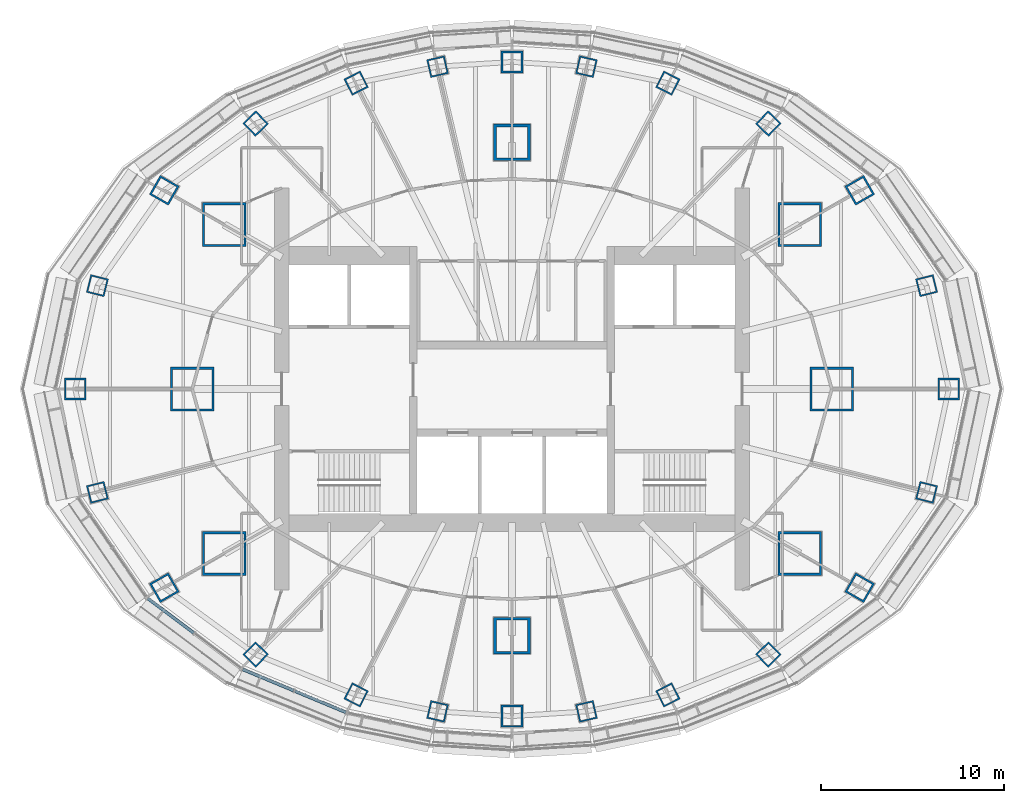
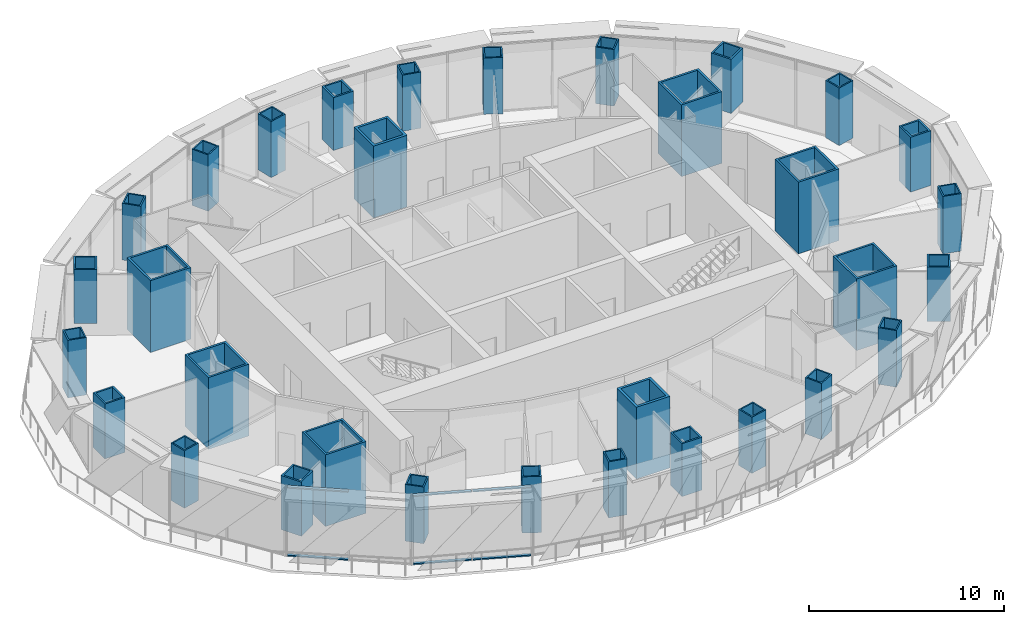
# One storey, part 1 of 17: 32 columns, 6 members, 2 elements without a shape of their own.
"""IFC4 building model written with IfcOpenShell, lengths in metres."""

import ifcopenshell
import ifcopenshell.guid

model = None  # the IFC model being written
_history = None  # IfcOwnerHistory: only IFC2X3 demands one
_inside = {}  # id of a spatial element -> (the spatial element, [elements in it])
_under = {}  # id of a project, library or spatial element -> (it, [spatial elements below it])
_declared = {}  # id of a project -> (the project, [libraries it declares])
_typed = {}  # id of a type object -> (the type object, [elements of that type])
_made_of = {}  # id of a material, layer set ... -> (it, [elements and type objects made of it])


def new_model(schema):
    """Start an empty IFC model of exactly this schema.

    Asked for "IFC4X3", IfcOpenShell would pick the latest addendum, in which some entities
    have other attributes; the version numbers below select the first issue.
    IFC2X3 requires an IfcOwnerHistory on every rooted entity: one is made here for all.
    """
    global model, _history
    if schema == "IFC4X3":
        model = ifcopenshell.file(schema_version=(4, 3, 0, 0))
    else:
        model = ifcopenshell.file(schema=schema)
    _inside.clear()
    _under.clear()
    _declared.clear()
    _typed.clear()
    _made_of.clear()
    _history = None
    if model.schema == "IFC2X3":
        org = make("IfcOrganization", Name="unknown")
        user = make(
            "IfcPersonAndOrganization",
            ThePerson=make("IfcPerson", FamilyName="unknown"),
            TheOrganization=org,
        )
        app = make(
            "IfcApplication",
            ApplicationDeveloper=org,
            Version="unknown",
            ApplicationFullName="unknown",
            ApplicationIdentifier="unknown",
        )
        _history = make(
            "IfcOwnerHistory",
            OwningUser=user,
            OwningApplication=app,
            ChangeAction="ADDED",
            CreationDate=0,
        )
    return model


def make(cls, **values):
    """One entity of the class cls with the attributes given. An attribute that is None is left unset."""
    return model.create_entity(
        cls, **{name: value for name, value in values.items() if value is not None}
    )


def rooted(cls, **values):
    """An entity with a GlobalId (a new one), such as an element, a storey or a relation."""
    return make(cls, GlobalId=ifcopenshell.guid.new(), OwnerHistory=_history, **values)


def si_unit(unit_type, name, prefix=None):
    """IfcSIUnit, for example si_unit("LENGTHUNIT", "METRE", prefix="MILLI")."""
    return make("IfcSIUnit", UnitType=unit_type, Prefix=prefix, Name=name)


def assignment(units):
    """IfcUnitAssignment: the units of a project."""
    return None if units is None else make("IfcUnitAssignment", Units=units)


def point(xyz):
    """IfcCartesianPoint."""
    return None if xyz is None else make("IfcCartesianPoint", Coordinates=xyz)


def direction(xyz):
    """IfcDirection."""
    return None if xyz is None else make("IfcDirection", DirectionRatios=xyz)


def frame(location, z_axis=None, x_axis=None):
    """IfcAxis2Placement3D, a coordinate frame: its origin and axes. An axis left out is left unset."""
    return make(
        "IfcAxis2Placement3D",
        Location=point(location),
        Axis=direction(z_axis),
        RefDirection=direction(x_axis),
    )


def frame_2d(location, x_axis=None):
    """IfcAxis2Placement2D, a coordinate frame in the plane: its origin and x axis."""
    return make(
        "IfcAxis2Placement2D", Location=point(location), RefDirection=direction(x_axis)
    )


def origin():
    """The frame at (0, 0, 0) with its axes left unset."""
    return frame((0.0, 0.0, 0.0))


def origin_2d():
    """The frame at (0, 0) in the plane with its x axis left unset."""
    return frame_2d((0.0, 0.0))


def place(relative_to, where):
    """IfcLocalPlacement: puts the frame where relative to a parent placement (None: the world)."""
    return make(
        "IfcLocalPlacement", PlacementRelTo=relative_to, RelativePlacement=where
    )


def context(
    kind, dimensions, precision=None, world=None, true_north=None, identifier=None
):
    """IfcGeometricRepresentationContext, for example the 3D "Model" context."""
    return make(
        "IfcGeometricRepresentationContext",
        ContextIdentifier=identifier,
        ContextType=kind,
        CoordinateSpaceDimension=dimensions,
        Precision=precision,
        WorldCoordinateSystem=world,
        TrueNorth=true_north,
    )


def subcontext(parent, identifier, kind, view, scale=None):
    """IfcGeometricRepresentationSubContext, for example "Body" below "Model"."""
    return make(
        "IfcGeometricRepresentationSubContext",
        ContextIdentifier=identifier,
        ContextType=kind,
        ParentContext=parent,
        TargetScale=scale,
        TargetView=view,
    )


def project(units=None, contexts=None):
    """IfcProject with its units and contexts."""
    return rooted(
        "IfcProject",
        Name="project",
        RepresentationContexts=contexts,
        UnitsInContext=assignment(units),
    )


def spatial(cls, under=None, at=None, **own):
    """A site, building, storey or space (cls), placed at a placement, below another one or the project."""
    s = rooted(cls, ObjectPlacement=at, **own)
    if under is not None:
        _under.setdefault(under.id(), (under, []))[1].append(s)
    return s


def profile(cls, at=None, kind="AREA", **sizes):
    """A parametric profile (cls). Its sizes go by their IFC names, for example OverallWidth=200.0."""
    return make(cls, ProfileType=kind, Position=at, **sizes)


def rectangle(**sizes):
    """IfcRectangleProfileDef."""
    return profile("IfcRectangleProfileDef", **sizes)


def hollow_rectangle(**sizes):
    """IfcRectangleHollowProfileDef."""
    return profile("IfcRectangleHollowProfileDef", **sizes)


def extrude(swept, where, along, depth):
    """IfcExtrudedAreaSolid: the profile swept, set in the frame where, extruded along a direction by depth."""
    return make(
        "IfcExtrudedAreaSolid",
        SweptArea=swept,
        Position=where,
        ExtrudedDirection=direction(along),
        Depth=depth,
    )


def shape(context_of_items, identifier, shape_type, items):
    """IfcShapeRepresentation: the items that make up one representation, for example the "Body"."""
    return make(
        "IfcShapeRepresentation",
        ContextOfItems=context_of_items,
        RepresentationIdentifier=identifier,
        RepresentationType=shape_type,
        Items=items,
    )


def material(Name=None, Category=None):
    """IfcMaterial."""
    return make("IfcMaterial", Name=Name, Category=Category)


def material_profile(
    of_material, cross_section, Name=None, Category=None, Priority=None
):
    """IfcMaterialProfile: a cross section and its material."""
    return make(
        "IfcMaterialProfile",
        Name=Name,
        Material=of_material,
        Profile=cross_section,
        Priority=Priority,
        Category=Category,
    )


def profile_set(profiles, Name=None, composite=None):
    """IfcMaterialProfileSet."""
    return make(
        "IfcMaterialProfileSet",
        Name=Name,
        MaterialProfiles=profiles,
        CompositeProfile=composite,
    )


def made_of(thing, what):
    """Note that an element or type object is made of a material, layer set ...; save() writes the relation."""
    if what is not None:
        _made_of.setdefault(what.id(), (what, []))[1].append(thing)
    return thing


def type_object(cls, material=None, **own):
    """A type object (cls), such as IfcWallType, which elements share."""
    return made_of(rooted(cls, **own), material)


def element(
    cls,
    number,
    at=None,
    inside=None,
    cuts=None,
    type_object=None,
    material=None,
    context=None,
    identifier="Body",
    shape_type=None,
    held_by="IfcProductDefinitionShape",
    body=None,
    shapes=None,
    **own,
):
    """One element of the class cls, such as IfcWall. Its Tag is "e" and its number.

    at: its placement. inside: the storey or other place that contains it. cuts: it is an
    opening in that element (IfcRelVoidsElement). A single representation is given by context,
    identifier, shape_type and body (its items); several are given by shapes. held_by: the class
    of the entity that holds the representations. save() writes the other relations.
    """
    e = rooted(cls, Tag="e%d" % number, ObjectPlacement=at, **own)
    if body is not None:
        shapes = [shape(context, identifier, shape_type, body)]
    if shapes is not None:
        e.Representation = make(held_by, Representations=shapes)
    if inside is not None:
        _inside.setdefault(inside.id(), (inside, []))[1].append(e)
    if cuts is not None:
        rooted(
            "IfcRelVoidsElement", RelatingBuildingElement=cuts, RelatedOpeningElement=e
        )
    if type_object is not None:
        _typed.setdefault(type_object.id(), (type_object, []))[1].append(e)
    return made_of(e, material)


def aggregate(whole, parts):
    """IfcRelAggregates: a whole, such as a stair, and the parts it consists of."""
    return rooted("IfcRelAggregates", RelatingObject=whole, RelatedObjects=parts)


def save(model, path):
    """Write the relations noted so far, then the file.

    IfcRelAggregates (storeys below a building ...), IfcRelContainedInSpatialStructure (elements
    in a storey), IfcRelDefinesByType, IfcRelAssociatesMaterial and IfcRelDeclares: one each for
    every whole, place, type object, material and project.
    """
    for whole, parts in _under.values():
        aggregate(whole, parts)
    for where, things in _inside.values():
        rooted(
            "IfcRelContainedInSpatialStructure",
            RelatedElements=things,
            RelatingStructure=where,
        )
    for kind, things in _typed.values():
        rooted("IfcRelDefinesByType", RelatedObjects=things, RelatingType=kind)
    for what, things in _made_of.values():
        rooted("IfcRelAssociatesMaterial", RelatedObjects=things, RelatingMaterial=what)
    for by, libraries in _declared.values():
        rooted("IfcRelDeclares", RelatingContext=by, RelatedDefinitions=libraries)
    model.write(path)


model = new_model("IFC4")

# Units and contexts
model_context = context("Model", 3, precision=1e-05, world=origin(), true_north=direction((0.0, 1.0)))
body_context = subcontext(model_context, "Body", "Model", "MODEL_VIEW")
ifc_project = project(units=[si_unit("LENGTHUNIT", "METRE"), si_unit("AREAUNIT", "SQUARE_METRE"), si_unit("VOLUMEUNIT", "CUBIC_METRE"), si_unit("PLANEANGLEUNIT", "RADIAN"), si_unit("MASSUNIT", "GRAM", prefix="KILO")], contexts=[model_context])

# Site, building, storey
site_placement = place(None, origin())
site = spatial("IfcSite", under=ifc_project, at=site_placement, CompositionType="ELEMENT")
building_placement = place(site_placement, origin())
building = spatial("IfcBuilding", under=site, at=building_placement, Name="Lantaw Convention Tower", CompositionType="ELEMENT")
storey_placement = place(building_placement, frame((0.0, 0.0, 270.39990234375)))
storey = spatial("IfcBuildingStorey", under=building, at=storey_placement, Name="L63", CompositionType="ELEMENT", Elevation=270.39990234375)

# Columns
ifc_material_1 = material(Name="Steel EN 10025-3 S460N", Category="steel")
ifc_material_profile_1 = material_profile(ifc_material_1, hollow_rectangle(XDim=2.0, YDim=2.0, WallThickness=0.14990234375, at=origin_2d()), Name="BOX2000X150")
ifc_material_2 = material(Name="Concrete C60/75", Category="concrete")
ifc_material_profile_2 = material_profile(ifc_material_2, rectangle(XDim=1.699951171875, YDim=1.699951171875, at=origin_2d()), Name="Concrete fill of BOX2000X150")
ifc_profile_set_1 = profile_set([ifc_material_profile_1, ifc_material_profile_2], Name="Steel EN 10025-3 S460N")
column_type_1 = type_object("IfcColumnType", Name="Column MC BOX2000X150", PredefinedType="COLUMN", material=ifc_profile_set_1)
for number, where, z_axis, x_axis, name in (
    (1, (0.0, 13.5, 0.0), (0.0, 0.0, 1.0), (1.0, 0.0, 0.0), "Mega column M3"),
    (2, (0.0, -13.5, 0.0), (0.0, 0.0, 1.0), (1.0, 0.0, 0.0), "Mega column M7"),
):
    element("IfcColumn", number, at=place(storey_placement, frame(where, z_axis=z_axis, x_axis=x_axis)), inside=storey, type_object=column_type_1, Name=name, PredefinedType="COLUMN", context=body_context, shape_type="SweptSolid", body=[
        extrude(hollow_rectangle(XDim=2.0, YDim=2.0, WallThickness=0.14990234375, at=origin_2d()), origin(), (0.0, 0.0, 1.0), 4.5),
    ])
ifc_material_profile_3 = material_profile(ifc_material_1, hollow_rectangle(XDim=2.39990234375, YDim=2.39990234375, WallThickness=0.1201171875, at=origin_2d()), Name="BOX2400X120")
ifc_material_profile_4 = material_profile(ifc_material_2, rectangle(XDim=2.159912109375, YDim=2.159912109375, at=origin_2d()), Name="Concrete fill of BOX2400X120")
ifc_profile_set_2 = profile_set([ifc_material_profile_3, ifc_material_profile_4], Name="Steel EN 10025-3 S460N")
column_type_2 = type_object("IfcColumnType", Name="Column MC BOX2400X120", PredefinedType="COLUMN", material=ifc_profile_set_2)
for number, where, z_axis, x_axis, name in (
    (3, (17.5, 0.0, 0.0), (0.0, 0.0, 1.0), (1.0, 0.0, 0.0), "Mega column M1"),
    (4, (15.75, 9.0, 0.0), (0.0, 0.0, 1.0), (1.0, 0.0, 0.0), "Mega column M2"),
    (5, (-15.75, 9.0, 0.0), (0.0, 0.0, 1.0), (1.0, 0.0, 0.0), "Mega column M4"),
    (6, (-17.5, 0.0, 0.0), (0.0, 0.0, 1.0), (1.0, 0.0, 0.0), "Mega column M5"),
    (7, (-15.75, -9.0, 0.0), (0.0, 0.0, 1.0), (1.0, 0.0, 0.0), "Mega column M6"),
    (8, (15.75, -9.0, 0.0), (0.0, 0.0, 1.0), (1.0, 0.0, 0.0), "Mega column M8"),
):
    element("IfcColumn", number, at=place(storey_placement, frame(where, z_axis=z_axis, x_axis=x_axis)), inside=storey, type_object=column_type_2, Name=name, PredefinedType="COLUMN", context=body_context, shape_type="SweptSolid", body=[
        extrude(hollow_rectangle(XDim=2.39990234375, YDim=2.39990234375, WallThickness=0.1201171875, at=origin_2d()), origin(), (0.0, 0.0, 1.0), 4.5),
    ])
ifc_material_3 = material(Name="Steel ASTM A572 Grade 50", Category="steel")
ifc_material_profile_5 = material_profile(ifc_material_3, hollow_rectangle(XDim=1.0, YDim=1.0, WallThickness=0.080078125, at=origin_2d()), Name="BOX1000X80")
ifc_material_profile_6 = material_profile(ifc_material_2, rectangle(XDim=0.840087890625, YDim=0.840087890625, at=origin_2d()), Name="Concrete fill of BOX1000X80")
ifc_profile_set_3 = profile_set([ifc_material_profile_5, ifc_material_profile_6], Name="Steel ASTM A572 Grade 50")
column_type_3 = type_object("IfcColumnType", Name="Column PC BOX1000X80", PredefinedType="COLUMN", material=ifc_profile_set_3)
column_1_placement = place(storey_placement, frame((22.68701171875, 5.656494140625, 0.891845703125), z_axis=(0.0, 0.0, 1.0), x_axis=(0.970295726276, 0.2419218956, 0.0)))
element("IfcColumn", 9, at=column_1_placement, inside=storey, type_object=column_type_3, Name="Perimeter column P2", PredefinedType="COLUMN", context=body_context, shape_type="SweptSolid", body=[
    extrude(hollow_rectangle(XDim=1.0, YDim=1.0, WallThickness=0.080078125, at=origin_2d()), origin(), (0.0, 0.0, 1.0), 3.608154296875),
])
column_2_placement = place(storey_placement, frame((14.027587890625, 14.526123046875, 0.947265625), z_axis=(0.0, 0.0, 1.0), x_axis=(0.694658370459, 0.719339800339, 0.0)))
element("IfcColumn", 10, at=column_2_placement, inside=storey, type_object=column_type_3, Name="Perimeter column P4", PredefinedType="COLUMN", context=body_context, shape_type="SweptSolid", body=[
    extrude(hollow_rectangle(XDim=1.0, YDim=1.0, WallThickness=0.080078125, at=origin_2d()), origin(), (0.0, 0.0, 1.0), 3.552734375),
])
column_3_placement = place(storey_placement, frame((8.5283203125, 16.73779296875, 0.96875), z_axis=(0.0, 0.0, 1.0), x_axis=(0.45399049974, 0.891006524188, 0.0)))
element("IfcColumn", 11, at=column_3_placement, inside=storey, type_object=column_type_3, Name="Perimeter column P5", PredefinedType="COLUMN", context=body_context, shape_type="SweptSolid", body=[
    extrude(hollow_rectangle(XDim=1.0, YDim=1.0, WallThickness=0.080078125, at=origin_2d()), origin(), (0.0, 0.0, 1.0), 3.53125),
])
for number, where, z_axis, x_axis, name in (
    (12, (4.072998046875, 17.642333984375, 0.978515625), (0.0, 0.0, 1.0), (0.224951054344, 0.974370064785, 0.0), "Perimeter column P6"),
    (13, (-4.072998046875, 17.642333984375, 0.978515625), (0.0, 0.0, 1.0), (0.974370064785, 0.224951054344, 0.0), "Perimeter column P8"),
):
    element("IfcColumn", number, at=place(storey_placement, frame(where, z_axis=z_axis, x_axis=x_axis)), inside=storey, type_object=column_type_3, Name=name, PredefinedType="COLUMN", context=body_context, shape_type="SweptSolid", body=[
        extrude(hollow_rectangle(XDim=1.0, YDim=1.0, WallThickness=0.080078125, at=origin_2d()), origin(), (0.0, 0.0, 1.0), 3.521484375),
    ])
column_4_placement = place(storey_placement, frame((-8.5283203125, 16.73779296875, 0.96875), z_axis=(0.0, 0.0, 1.0), x_axis=(0.891006524188, 0.45399049974, 0.0)))
element("IfcColumn", 14, at=column_4_placement, inside=storey, type_object=column_type_3, Name="Perimeter column P9", PredefinedType="COLUMN", context=body_context, shape_type="SweptSolid", body=[
    extrude(hollow_rectangle(XDim=1.0, YDim=1.0, WallThickness=0.080078125, at=origin_2d()), origin(), (0.0, 0.0, 1.0), 3.53125),
])
column_5_placement = place(storey_placement, frame((-14.027587890625, 14.526123046875, 0.947265625), z_axis=(0.0, 0.0, 1.0), x_axis=(0.719339800339, 0.694658370459, 0.0)))
element("IfcColumn", 15, at=column_5_placement, inside=storey, type_object=column_type_3, Name="Perimeter column P10", PredefinedType="COLUMN", context=body_context, shape_type="SweptSolid", body=[
    extrude(hollow_rectangle(XDim=1.0, YDim=1.0, WallThickness=0.080078125, at=origin_2d()), origin(), (0.0, 0.0, 1.0), 3.552734375),
])
for number, where, z_axis, x_axis, name in (
    (16, (-22.68701171875, 5.656494140625, 0.891845703125), (0.0, 0.0, 1.0), (0.2419218956, 0.970295726276, 0.0), "Perimeter column P12"),
    (17, (-22.68701171875, -5.656494140625, 0.891845703125), (0.0, 0.0, 1.0), (0.970295726276, 0.2419218956, 0.0), "Perimeter column P14"),
):
    element("IfcColumn", number, at=place(storey_placement, frame(where, z_axis=z_axis, x_axis=x_axis)), inside=storey, type_object=column_type_3, Name=name, PredefinedType="COLUMN", context=body_context, shape_type="SweptSolid", body=[
        extrude(hollow_rectangle(XDim=1.0, YDim=1.0, WallThickness=0.080078125, at=origin_2d()), origin(), (0.0, 0.0, 1.0), 3.608154296875),
    ])
column_6_placement = place(storey_placement, frame((-14.027587890625, -14.526123046875, 0.947265625), z_axis=(0.0, 0.0, 1.0), x_axis=(0.694658370459, 0.719339800339, 0.0)))
element("IfcColumn", 18, at=column_6_placement, inside=storey, type_object=column_type_3, Name="Perimeter column P16", PredefinedType="COLUMN", context=body_context, shape_type="SweptSolid", body=[
    extrude(hollow_rectangle(XDim=1.0, YDim=1.0, WallThickness=0.080078125, at=origin_2d()), origin(), (0.0, 0.0, 1.0), 3.552734375),
])
column_7_placement = place(storey_placement, frame((-8.5283203125, -16.73779296875, 0.96875), z_axis=(0.0, 0.0, 1.0), x_axis=(0.45399049974, 0.891006524188, 0.0)))
element("IfcColumn", 19, at=column_7_placement, inside=storey, type_object=column_type_3, Name="Perimeter column P17", PredefinedType="COLUMN", context=body_context, shape_type="SweptSolid", body=[
    extrude(hollow_rectangle(XDim=1.0, YDim=1.0, WallThickness=0.080078125, at=origin_2d()), origin(), (0.0, 0.0, 1.0), 3.53125),
])
for number, where, z_axis, x_axis, name in (
    (20, (-4.072998046875, -17.642333984375, 0.978515625), (0.0, 0.0, 1.0), (0.224951054344, 0.974370064785, 0.0), "Perimeter column P18"),
    (21, (4.072998046875, -17.642333984375, 0.978515625), (0.0, 0.0, 1.0), (0.974370064785, 0.224951054344, 0.0), "Perimeter column P20"),
):
    element("IfcColumn", number, at=place(storey_placement, frame(where, z_axis=z_axis, x_axis=x_axis)), inside=storey, type_object=column_type_3, Name=name, PredefinedType="COLUMN", context=body_context, shape_type="SweptSolid", body=[
        extrude(hollow_rectangle(XDim=1.0, YDim=1.0, WallThickness=0.080078125, at=origin_2d()), origin(), (0.0, 0.0, 1.0), 3.521484375),
    ])
column_8_placement = place(storey_placement, frame((8.5283203125, -16.73779296875, 0.96875), z_axis=(0.0, 0.0, 1.0), x_axis=(0.891006524188, 0.45399049974, 0.0)))
element("IfcColumn", 22, at=column_8_placement, inside=storey, type_object=column_type_3, Name="Perimeter column P21", PredefinedType="COLUMN", context=body_context, shape_type="SweptSolid", body=[
    extrude(hollow_rectangle(XDim=1.0, YDim=1.0, WallThickness=0.080078125, at=origin_2d()), origin(), (0.0, 0.0, 1.0), 3.53125),
])
column_9_placement = place(storey_placement, frame((14.027587890625, -14.526123046875, 0.947265625), z_axis=(0.0, 0.0, 1.0), x_axis=(0.719339800339, 0.694658370459, 0.0)))
element("IfcColumn", 23, at=column_9_placement, inside=storey, type_object=column_type_3, Name="Perimeter column P22", PredefinedType="COLUMN", context=body_context, shape_type="SweptSolid", body=[
    extrude(hollow_rectangle(XDim=1.0, YDim=1.0, WallThickness=0.080078125, at=origin_2d()), origin(), (0.0, 0.0, 1.0), 3.552734375),
])
column_10_placement = place(storey_placement, frame((22.68701171875, -5.656494140625, 0.891845703125), z_axis=(0.0, 0.0, 1.0), x_axis=(0.2419218956, 0.970295726276, 0.0)))
element("IfcColumn", 24, at=column_10_placement, inside=storey, type_object=column_type_3, Name="Perimeter column P24", PredefinedType="COLUMN", context=body_context, shape_type="SweptSolid", body=[
    extrude(hollow_rectangle(XDim=1.0, YDim=1.0, WallThickness=0.080078125, at=origin_2d()), origin(), (0.0, 0.0, 1.0), 3.608154296875),
])
ifc_material_profile_7 = material_profile(ifc_material_1, hollow_rectangle(XDim=1.199951171875, YDim=1.199951171875, WallThickness=0.10009765625, at=origin_2d()), Name="BOX1200X100")
ifc_material_profile_8 = material_profile(ifc_material_2, rectangle(XDim=1.0, YDim=1.0, at=origin_2d()), Name="Concrete fill of BOX1200X100")
ifc_profile_set_4 = profile_set([ifc_material_profile_7, ifc_material_profile_8], Name="Steel EN 10025-3 S460N")
column_type_4 = type_object("IfcColumnType", Name="Column PC BOX1200X100", PredefinedType="COLUMN", material=ifc_profile_set_4)
column_11_placement = place(storey_placement, frame((23.89990234375, 0.0, 1.05908203125), z_axis=(0.0, 0.0, 1.0), x_axis=(1.0, 0.0, 0.0)))
element("IfcColumn", 25, at=column_11_placement, inside=storey, type_object=column_type_4, Name="Perimeter column P1", PredefinedType="COLUMN", context=body_context, shape_type="SweptSolid", body=[
    extrude(hollow_rectangle(XDim=1.199951171875, YDim=1.199951171875, WallThickness=0.10009765625, at=origin_2d()), origin(), (0.0, 0.0, 1.0), 3.44091796875),
])
column_12_placement = place(storey_placement, frame((19.02685546875, 10.87255859375, 1.1025390625), z_axis=(0.0, 0.0, 1.0), x_axis=(0.86824298017, 0.496139221777, 0.0)))
element("IfcColumn", 26, at=column_12_placement, inside=storey, type_object=column_type_4, Name="Perimeter column P3", PredefinedType="COLUMN", context=body_context, shape_type="SweptSolid", body=[
    extrude(hollow_rectangle(XDim=1.199951171875, YDim=1.199951171875, WallThickness=0.10009765625, at=origin_2d()), origin(), (0.0, 0.0, 1.0), 3.3974609375),
])
column_13_placement = place(storey_placement, frame((0.0, 17.89990234375, 1.17822265625), z_axis=(0.0, 0.0, 1.0), x_axis=(1.0, 0.0, 0.0)))
element("IfcColumn", 27, at=column_13_placement, inside=storey, type_object=column_type_4, Name="Perimeter column P7", PredefinedType="COLUMN", context=body_context, shape_type="SweptSolid", body=[
    extrude(hollow_rectangle(XDim=1.199951171875, YDim=1.199951171875, WallThickness=0.10009765625, at=origin_2d()), origin(), (0.0, 0.0, 1.0), 3.32177734375),
])
column_14_placement = place(storey_placement, frame((-19.02685546875, 10.87255859375, 1.1025390625), z_axis=(0.0, 0.0, 1.0), x_axis=(0.496139221777, 0.86824298017, 0.0)))
element("IfcColumn", 28, at=column_14_placement, inside=storey, type_object=column_type_4, Name="Perimeter column P11", PredefinedType="COLUMN", context=body_context, shape_type="SweptSolid", body=[
    extrude(hollow_rectangle(XDim=1.199951171875, YDim=1.199951171875, WallThickness=0.10009765625, at=origin_2d()), origin(), (0.0, 0.0, 1.0), 3.3974609375),
])
column_15_placement = place(storey_placement, frame((-23.89990234375, 0.0, 1.05908203125), z_axis=(0.0, 0.0, 1.0), x_axis=(1.0, 0.0, 0.0)))
element("IfcColumn", 29, at=column_15_placement, inside=storey, type_object=column_type_4, Name="Perimeter column P13", PredefinedType="COLUMN", context=body_context, shape_type="SweptSolid", body=[
    extrude(hollow_rectangle(XDim=1.199951171875, YDim=1.199951171875, WallThickness=0.10009765625, at=origin_2d()), origin(), (0.0, 0.0, 1.0), 3.44091796875),
])
column_16_placement = place(storey_placement, frame((-19.02685546875, -10.87255859375, 1.1025390625), z_axis=(0.0, 0.0, 1.0), x_axis=(0.86824298017, 0.496139221777, 0.0)))
element("IfcColumn", 30, at=column_16_placement, inside=storey, type_object=column_type_4, Name="Perimeter column P15", PredefinedType="COLUMN", context=body_context, shape_type="SweptSolid", body=[
    extrude(hollow_rectangle(XDim=1.199951171875, YDim=1.199951171875, WallThickness=0.10009765625, at=origin_2d()), origin(), (0.0, 0.0, 1.0), 3.3974609375),
])
column_17_placement = place(storey_placement, frame((0.0, -17.89990234375, 1.17822265625), z_axis=(0.0, 0.0, 1.0), x_axis=(1.0, 0.0, 0.0)))
element("IfcColumn", 31, at=column_17_placement, inside=storey, type_object=column_type_4, Name="Perimeter column P19", PredefinedType="COLUMN", context=body_context, shape_type="SweptSolid", body=[
    extrude(hollow_rectangle(XDim=1.199951171875, YDim=1.199951171875, WallThickness=0.10009765625, at=origin_2d()), origin(), (0.0, 0.0, 1.0), 3.32177734375),
])
column_18_placement = place(storey_placement, frame((19.02685546875, -10.87255859375, 1.1025390625), z_axis=(0.0, 0.0, 1.0), x_axis=(0.496139221777, 0.86824298017, 0.0)))
element("IfcColumn", 32, at=column_18_placement, inside=storey, type_object=column_type_4, Name="Perimeter column P23", PredefinedType="COLUMN", context=body_context, shape_type="SweptSolid", body=[
    extrude(hollow_rectangle(XDim=1.199951171875, YDim=1.199951171875, WallThickness=0.10009765625, at=origin_2d()), origin(), (0.0, 0.0, 1.0), 3.3974609375),
])

# Curtain wall, members
ifc_material_4 = material(Name="Aluminium framed curtain wall", Category="aluminium")
curtain_wall_type = type_object("IfcCurtainWallType", Name="Executive floors curtain wall, pale aluminium", PredefinedType="USERDEFINED", material=ifc_material_4)
curtain_wall_1_placement = place(storey_placement, origin())
curtain_wall_1 = element("IfcCurtainWall", 33, at=curtain_wall_1_placement, inside=storey, type_object=curtain_wall_type, Name="Executive floors curtain wall, pale aluminium L63", ObjectType="UNITISED CURTAIN WALL", PredefinedType="USERDEFINED")
ifc_material_5 = material(Name="Aluminium 6063-T6", Category="aluminium")
ifc_material_profile_9 = material_profile(ifc_material_5, rectangle(XDim=0.169921875, YDim=0.070068359375, at=origin_2d()), Name="CW-T transom 70x170")
ifc_profile_set_5 = profile_set([ifc_material_profile_9], Name="Aluminium 6063-T6")
member_type = type_object("IfcMemberType", Name="CW-T transom 70x170", PredefinedType="USERDEFINED", material=ifc_profile_set_5)
member_1_placement = place(storey_placement, frame((-19.926025390625, -11.460205078125, 0.03515625), z_axis=(0.799496049611, -0.600671346626, 0.0), x_axis=(0.600671346626, 0.799496049611, 0.0)))
member_1 = element("IfcMember", 34, at=member_1_placement, type_object=member_type, Name="CW-T transom 1.1", ObjectType="TRANSOM", PredefinedType="USERDEFINED", context=body_context, shape_type="SweptSolid", body=[
    extrude(rectangle(XDim=0.169921875, YDim=0.070068359375, at=origin_2d()), origin(), (0.0, 0.0, 1.0), 3.14111328125),
])
member_2_placement = place(storey_placement, frame((-19.926025390625, -11.460205078125, 4.315185546875), z_axis=(0.799496049611, -0.600671346626, 0.0), x_axis=(0.600671346626, 0.799496049611, 0.0)))
member_2 = element("IfcMember", 35, at=member_2_placement, type_object=member_type, Name="CW-T transom 1.2", ObjectType="TRANSOM", PredefinedType="USERDEFINED", context=body_context, shape_type="SweptSolid", body=[
    extrude(rectangle(XDim=0.169921875, YDim=0.070068359375, at=origin_2d()), origin(), (0.0, 0.0, 1.0), 3.14111328125),
])
aggregate(curtain_wall_1, [member_1, member_2])

curtain_wall_2_placement = place(storey_placement, origin())
curtain_wall_2 = element("IfcCurtainWall", 36, at=curtain_wall_2_placement, inside=storey, type_object=curtain_wall_type, Name="Executive floors curtain wall, pale aluminium L63", ObjectType="UNITISED CURTAIN WALL", PredefinedType="USERDEFINED")
member_3_placement = place(storey_placement, frame((-14.727294921875, -15.34423828125, 0.03515625), z_axis=(0.923143943999, -0.384454494911, 0.0), x_axis=(0.384454494911, 0.923143943999, 0.0)))
member_3 = element("IfcMember", 37, at=member_3_placement, type_object=member_type, Name="CW-T transom 1.1", ObjectType="TRANSOM", PredefinedType="USERDEFINED", context=body_context, shape_type="SweptSolid", body=[
    extrude(rectangle(XDim=0.169921875, YDim=0.070068359375, at=origin_2d()), origin(), (0.0, 0.0, 1.0), 3.01708984375),
])
member_4_placement = place(storey_placement, frame((-14.727294921875, -15.34423828125, 4.315185546875), z_axis=(0.923143943999, -0.384454494911, 0.0), x_axis=(0.384454494911, 0.923143943999, 0.0)))
member_4 = element("IfcMember", 38, at=member_4_placement, type_object=member_type, Name="CW-T transom 1.2", ObjectType="TRANSOM", PredefinedType="USERDEFINED", context=body_context, shape_type="SweptSolid", body=[
    extrude(rectangle(XDim=0.169921875, YDim=0.070068359375, at=origin_2d()), origin(), (0.0, 0.0, 1.0), 3.01708984375),
])
member_5_placement = place(storey_placement, frame((-11.87744140625, -16.531005859375, 0.03515625), z_axis=(0.923143943999, -0.384454494911, 0.0), x_axis=(0.384454494911, 0.923143943999, 0.0)))
member_5 = element("IfcMember", 39, at=member_5_placement, type_object=member_type, Name="CW-T transom 2.1", ObjectType="TRANSOM", PredefinedType="USERDEFINED", context=body_context, shape_type="SweptSolid", body=[
    extrude(rectangle(XDim=0.169921875, YDim=0.070068359375, at=origin_2d()), origin(), (0.0, 0.0, 1.0), 3.01708984375),
])
member_6_placement = place(storey_placement, frame((-11.87744140625, -16.531005859375, 4.315185546875), z_axis=(0.923143943999, -0.384454494911, 0.0), x_axis=(0.384454494911, 0.923143943999, 0.0)))
member_6 = element("IfcMember", 40, at=member_6_placement, type_object=member_type, Name="CW-T transom 2.2", ObjectType="TRANSOM", PredefinedType="USERDEFINED", context=body_context, shape_type="SweptSolid", body=[
    extrude(rectangle(XDim=0.169921875, YDim=0.070068359375, at=origin_2d()), origin(), (0.0, 0.0, 1.0), 3.01708984375),
])
aggregate(curtain_wall_2, [member_3, member_4, member_5, member_6])

save(model, "model.ifc")
